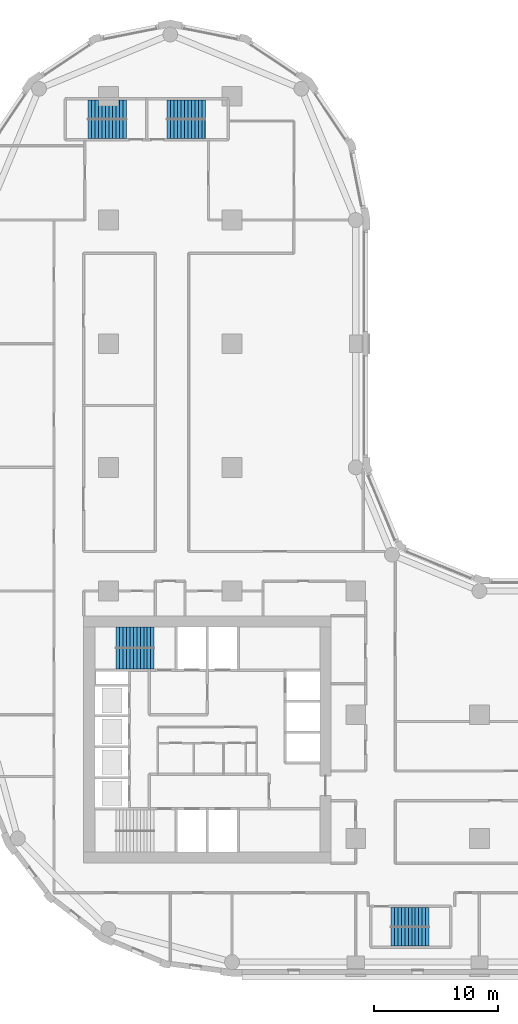
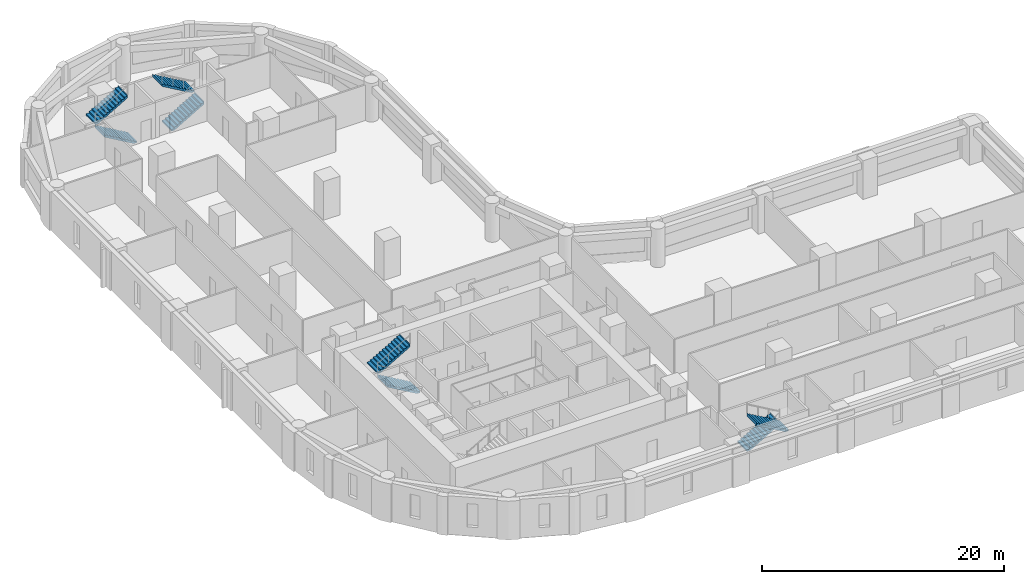
# One storey, part 9 of 11: 8 stair flights, 4 elements without a shape of their own.
"""IFC4 building model written with IfcOpenShell, lengths in metres."""

from ifc_helpers import new_model, si_unit, direction, frame, origin, place, context, subcontext, project, spatial, polyline, outline, extrude, material, type_object, element, aggregate, save


model = new_model("IFC4")

# Units and contexts
model_context = context("Model", 3, precision=1e-05, world=origin(), true_north=direction((0.0, 1.0)))
body_context = subcontext(model_context, "Body", "Model", "MODEL_VIEW")
ifc_project = project(units=[si_unit("LENGTHUNIT", "METRE"), si_unit("AREAUNIT", "SQUARE_METRE"), si_unit("VOLUMEUNIT", "CUBIC_METRE"), si_unit("PLANEANGLEUNIT", "RADIAN"), si_unit("MASSUNIT", "GRAM", prefix="KILO")], contexts=[model_context])

# Site, building, storey
site_placement = place(None, origin())
site = spatial("IfcSite", under=ifc_project, at=site_placement, CompositionType="ELEMENT")
building_placement = place(site_placement, origin())
building = spatial("IfcBuilding", under=site, at=building_placement, Name="Qaws Garden Tower", CompositionType="ELEMENT")
storey_placement = place(building_placement, frame((0.0, 0.0, 27.60009765625)))
storey = spatial("IfcBuildingStorey", under=building, at=storey_placement, Name="L06", CompositionType="ELEMENT", Elevation=27.60009765625)

# Stair, stair flights
ifc_material_1 = material(Name="Concrete C40", Category="concrete")
stair_type_1 = type_object("IfcStairType", Name="Exit stair 1350", PredefinedType="HALF_TURN_STAIR", material=ifc_material_1)
placement = place(storey_placement, origin())
stair_1 = element("IfcStair", 1, at=placement, inside=storey, type_object=stair_type_1, Name="Stair 5", PredefinedType="HALF_TURN_STAIR")
ifc_material_2 = material(Name="Concrete C40", Category="concrete")
stair_flight_type_1 = type_object("IfcStairFlightType", Name="Stair flight 1350", PredefinedType="STRAIGHT", material=ifc_material_2)
stair_flight_1_placement = place(storey_placement, frame((32.85009765625, 3.625, 0.0), z_axis=(0.0, 0.0, 1.0), x_axis=(1.0, 0.0, 0.0)))
stair_flight_1 = element("IfcStairFlight", 2, at=stair_flight_1_placement, type_object=stair_flight_type_1, Name="ST5 flight 1", NumberOfRisers=12, NumberOfTreads=11, PredefinedType="STRAIGHT", RiserHeight=0.1625, TreadLength=0.28, context=body_context, shape_type="SweptSolid", body=[
    extrude(outline(polyline([(-0.0029296875, 0.0), (-0.0029296875, 0.16259765625), (0.0, 0.16259765625), (0.280029296875, 0.16259765625), (0.280029296875, 0.324951171875), (0.56005859375, 0.324951171875), (0.56005859375, 0.487548828125), (0.840087890625, 0.487548828125), (0.840087890625, 0.64990234375), (1.1201171875, 0.64990234375), (1.1201171875, 0.8125), (1.39990234375, 0.8125), (1.39990234375, 0.97509765625), (1.679931640625, 0.97509765625), (1.679931640625, 1.137451171875), (1.9599609375, 1.137451171875), (1.9599609375, 1.300048828125), (2.239990234375, 1.300048828125), (2.239990234375, 1.46240234375), (2.52001953125, 1.46240234375), (2.52001953125, 1.625), (2.800048828125, 1.625), (2.800048828125, 1.78759765625), (3.080078125, 1.78759765625), (3.080078125, 1.949951171875), (3.0830078125, 1.949951171875), (3.0830078125, 1.6142578125), (3.080078125, 1.6142578125), (0.298583984375, 0.0), (-0.0029296875, 0.0)])), frame((0.0, 0.77490234375, 0.0), z_axis=(0.0, -1.0, 0.0), x_axis=(1.0, 0.0, 0.0)), (0.0, 0.0, 1.0), 1.550048828125),
])
stair_flight_2_placement = place(storey_placement, frame((35.929931640625, 2.074951171875, 1.949951171875), z_axis=(0.0, 0.0, 1.0), x_axis=(-1.0, 0.0, 0.0)))
stair_flight_2 = element("IfcStairFlight", 3, at=stair_flight_2_placement, type_object=stair_flight_type_1, Name="ST5 flight 2", NumberOfRisers=12, NumberOfTreads=11, PredefinedType="STRAIGHT", RiserHeight=0.1625, TreadLength=0.28, context=body_context, shape_type="SweptSolid", body=[
    extrude(outline(polyline([(-0.0029296875, 0.0), (-0.0029296875, 0.16259765625), (0.0, 0.16259765625), (0.280029296875, 0.16259765625), (0.280029296875, 0.324951171875), (0.56005859375, 0.324951171875), (0.56005859375, 0.487548828125), (0.840087890625, 0.487548828125), (0.840087890625, 0.64990234375), (1.1201171875, 0.64990234375), (1.1201171875, 0.8125), (1.39990234375, 0.8125), (1.39990234375, 0.97509765625), (1.679931640625, 0.97509765625), (1.679931640625, 1.137451171875), (1.9599609375, 1.137451171875), (1.9599609375, 1.300048828125), (2.239990234375, 1.300048828125), (2.239990234375, 1.46240234375), (2.52001953125, 1.46240234375), (2.52001953125, 1.625), (2.800048828125, 1.625), (2.800048828125, 1.78759765625), (3.080078125, 1.78759765625), (3.080078125, 1.949951171875), (3.0830078125, 1.949951171875), (3.0830078125, 1.6142578125), (3.080078125, 1.6142578125), (0.298583984375, 0.0), (-0.0029296875, 0.0)])), frame((0.0, 0.77490234375, 0.0), z_axis=(0.0, -1.0, 0.0), x_axis=(1.0, 0.0, 0.0)), (0.0, 0.0, 1.0), 1.550048828125),
])
aggregate(stair_1, [stair_flight_1, stair_flight_2])

stair_2 = element("IfcStair", 4, at=placement, inside=storey, type_object=stair_type_1, Name="Stair 6", PredefinedType="HALF_TURN_STAIR")
stair_flight_3_placement = place(storey_placement, frame((11.449951171875, 67.375, 0.0), z_axis=(0.0, 0.0, 1.0), x_axis=(-1.0, 0.0, 0.0)))
stair_flight_3 = element("IfcStairFlight", 5, at=stair_flight_3_placement, type_object=stair_flight_type_1, Name="ST6 flight 1", NumberOfRisers=12, NumberOfTreads=11, PredefinedType="STRAIGHT", RiserHeight=0.1625, TreadLength=0.28, context=body_context, shape_type="SweptSolid", body=[
    extrude(outline(polyline([(-0.0029296875, 0.0), (-0.0029296875, 0.16259765625), (0.0, 0.16259765625), (0.280029296875, 0.16259765625), (0.280029296875, 0.324951171875), (0.56005859375, 0.324951171875), (0.56005859375, 0.487548828125), (0.840087890625, 0.487548828125), (0.840087890625, 0.64990234375), (1.1201171875, 0.64990234375), (1.1201171875, 0.8125), (1.39990234375, 0.8125), (1.39990234375, 0.97509765625), (1.679931640625, 0.97509765625), (1.679931640625, 1.137451171875), (1.9599609375, 1.137451171875), (1.9599609375, 1.300048828125), (2.239990234375, 1.300048828125), (2.239990234375, 1.46240234375), (2.52001953125, 1.46240234375), (2.52001953125, 1.625), (2.800048828125, 1.625), (2.800048828125, 1.78759765625), (3.080078125, 1.78759765625), (3.080078125, 1.949951171875), (3.0830078125, 1.949951171875), (3.0830078125, 1.6142578125), (3.080078125, 1.6142578125), (0.298583984375, 0.0), (-0.0029296875, 0.0)])), frame((0.0, 0.77490234375, 0.0), z_axis=(0.0, -1.0, 0.0), x_axis=(1.0, 0.0, 0.0)), (0.0, 0.0, 1.0), 1.550048828125),
])
stair_flight_4_placement = place(storey_placement, frame((8.3701171875, 68.925048828125, 1.949951171875), z_axis=(0.0, 0.0, 1.0), x_axis=(1.0, 0.0, 0.0)))
stair_flight_4 = element("IfcStairFlight", 6, at=stair_flight_4_placement, type_object=stair_flight_type_1, Name="ST6 flight 2", NumberOfRisers=12, NumberOfTreads=11, PredefinedType="STRAIGHT", RiserHeight=0.1625, TreadLength=0.28, context=body_context, shape_type="SweptSolid", body=[
    extrude(outline(polyline([(-0.0029296875, 0.0), (-0.0029296875, 0.16259765625), (0.0, 0.16259765625), (0.280029296875, 0.16259765625), (0.280029296875, 0.324951171875), (0.56005859375, 0.324951171875), (0.56005859375, 0.487548828125), (0.840087890625, 0.487548828125), (0.840087890625, 0.64990234375), (1.1201171875, 0.64990234375), (1.1201171875, 0.8125), (1.39990234375, 0.8125), (1.39990234375, 0.97509765625), (1.679931640625, 0.97509765625), (1.679931640625, 1.137451171875), (1.9599609375, 1.137451171875), (1.9599609375, 1.300048828125), (2.239990234375, 1.300048828125), (2.239990234375, 1.46240234375), (2.52001953125, 1.46240234375), (2.52001953125, 1.625), (2.800048828125, 1.625), (2.800048828125, 1.78759765625), (3.080078125, 1.78759765625), (3.080078125, 1.949951171875), (3.0830078125, 1.949951171875), (3.0830078125, 1.6142578125), (3.080078125, 1.6142578125), (0.298583984375, 0.0), (-0.0029296875, 0.0)])), frame((0.0, 0.77490234375, 0.0), z_axis=(0.0, -1.0, 0.0), x_axis=(1.0, 0.0, 0.0)), (0.0, 0.0, 1.0), 1.550048828125),
])
aggregate(stair_2, [stair_flight_3, stair_flight_4])

stair_3 = element("IfcStair", 7, at=placement, inside=storey, type_object=stair_type_1, Name="Stair 7", PredefinedType="HALF_TURN_STAIR")
stair_flight_5_placement = place(storey_placement, frame((14.75, 67.375, 0.0), z_axis=(0.0, 0.0, 1.0), x_axis=(1.0, 0.0, 0.0)))
stair_flight_5 = element("IfcStairFlight", 8, at=stair_flight_5_placement, type_object=stair_flight_type_1, Name="ST7 flight 1", NumberOfRisers=12, NumberOfTreads=11, PredefinedType="STRAIGHT", RiserHeight=0.1625, TreadLength=0.28, context=body_context, shape_type="SweptSolid", body=[
    extrude(outline(polyline([(-0.0029296875, 0.0), (-0.0029296875, 0.16259765625), (0.0, 0.16259765625), (0.280029296875, 0.16259765625), (0.280029296875, 0.324951171875), (0.56005859375, 0.324951171875), (0.56005859375, 0.487548828125), (0.840087890625, 0.487548828125), (0.840087890625, 0.64990234375), (1.1201171875, 0.64990234375), (1.1201171875, 0.8125), (1.39990234375, 0.8125), (1.39990234375, 0.97509765625), (1.679931640625, 0.97509765625), (1.679931640625, 1.137451171875), (1.9599609375, 1.137451171875), (1.9599609375, 1.300048828125), (2.239990234375, 1.300048828125), (2.239990234375, 1.46240234375), (2.52001953125, 1.46240234375), (2.52001953125, 1.625), (2.800048828125, 1.625), (2.800048828125, 1.78759765625), (3.080078125, 1.78759765625), (3.080078125, 1.949951171875), (3.0830078125, 1.949951171875), (3.0830078125, 1.6142578125), (3.080078125, 1.6142578125), (0.298583984375, 0.0), (-0.0029296875, 0.0)])), frame((0.0, 0.77490234375, 0.0), z_axis=(0.0, -1.0, 0.0), x_axis=(1.0, 0.0, 0.0)), (0.0, 0.0, 1.0), 1.550048828125),
])
stair_flight_6_placement = place(storey_placement, frame((17.830078125, 68.925048828125, 1.949951171875), z_axis=(0.0, 0.0, 1.0), x_axis=(-1.0, 0.0, 0.0)))
stair_flight_6 = element("IfcStairFlight", 9, at=stair_flight_6_placement, type_object=stair_flight_type_1, Name="ST7 flight 2", NumberOfRisers=12, NumberOfTreads=11, PredefinedType="STRAIGHT", RiserHeight=0.1625, TreadLength=0.28, context=body_context, shape_type="SweptSolid", body=[
    extrude(outline(polyline([(-0.0029296875, 0.0), (-0.0029296875, 0.16259765625), (0.0, 0.16259765625), (0.280029296875, 0.16259765625), (0.280029296875, 0.324951171875), (0.56005859375, 0.324951171875), (0.56005859375, 0.487548828125), (0.840087890625, 0.487548828125), (0.840087890625, 0.64990234375), (1.1201171875, 0.64990234375), (1.1201171875, 0.8125), (1.39990234375, 0.8125), (1.39990234375, 0.97509765625), (1.679931640625, 0.97509765625), (1.679931640625, 1.137451171875), (1.9599609375, 1.137451171875), (1.9599609375, 1.300048828125), (2.239990234375, 1.300048828125), (2.239990234375, 1.46240234375), (2.52001953125, 1.46240234375), (2.52001953125, 1.625), (2.800048828125, 1.625), (2.800048828125, 1.78759765625), (3.080078125, 1.78759765625), (3.080078125, 1.949951171875), (3.0830078125, 1.949951171875), (3.0830078125, 1.6142578125), (3.080078125, 1.6142578125), (0.298583984375, 0.0), (-0.0029296875, 0.0)])), frame((0.0, 0.77490234375, 0.0), z_axis=(0.0, -1.0, 0.0), x_axis=(1.0, 0.0, 0.0)), (0.0, 0.0, 1.0), 1.550048828125),
])
aggregate(stair_3, [stair_flight_5, stair_flight_6])

ifc_material_3 = material(Name="Concrete C40", Category="concrete")
stair_type_2 = type_object("IfcStairType", Name="Exit stair 1500", PredefinedType="HALF_TURN_STAIR", material=ifc_material_3)
stair_4 = element("IfcStair", 10, at=placement, inside=storey, type_object=stair_type_2, Name="Stair 4", PredefinedType="HALF_TURN_STAIR")
ifc_material_4 = material(Name="Concrete C40", Category="concrete")
stair_flight_type_2 = type_object("IfcStairFlightType", Name="Stair flight 1500", PredefinedType="STRAIGHT", material=ifc_material_4)
stair_flight_7_placement = place(storey_placement, frame((13.699951171875, 24.550048828125, 0.0), z_axis=(0.0, 0.0, 1.0), x_axis=(-1.0, 0.0, 0.0)))
stair_flight_7 = element("IfcStairFlight", 11, at=stair_flight_7_placement, type_object=stair_flight_type_2, Name="ST4 flight 1", NumberOfRisers=12, NumberOfTreads=11, PredefinedType="STRAIGHT", RiserHeight=0.1625, TreadLength=0.28, context=body_context, shape_type="SweptSolid", body=[
    extrude(outline(polyline([(-0.0029296875, 0.0), (-0.0029296875, 0.16259765625), (0.0, 0.16259765625), (0.280029296875, 0.16259765625), (0.280029296875, 0.324951171875), (0.56005859375, 0.324951171875), (0.56005859375, 0.487548828125), (0.840087890625, 0.487548828125), (0.840087890625, 0.64990234375), (1.1201171875, 0.64990234375), (1.1201171875, 0.8125), (1.39990234375, 0.8125), (1.39990234375, 0.97509765625), (1.679931640625, 0.97509765625), (1.679931640625, 1.137451171875), (1.9599609375, 1.137451171875), (1.9599609375, 1.300048828125), (2.239990234375, 1.300048828125), (2.239990234375, 1.46240234375), (2.52001953125, 1.46240234375), (2.52001953125, 1.625), (2.800048828125, 1.625), (2.800048828125, 1.78759765625), (3.080078125, 1.78759765625), (3.080078125, 1.949951171875), (3.0830078125, 1.949951171875), (3.0830078125, 1.6142578125), (3.080078125, 1.6142578125), (0.298583984375, 0.0), (-0.0029296875, 0.0)])), frame((0.0, 0.844970703125, 0.0), z_axis=(0.0, -1.0, 0.0), x_axis=(1.0, 0.0, 0.0)), (0.0, 0.0, 1.0), 1.68994140625),
])
stair_flight_8_placement = place(storey_placement, frame((10.6201171875, 26.25, 1.949951171875), z_axis=(0.0, 0.0, 1.0), x_axis=(1.0, 0.0, 0.0)))
stair_flight_8 = element("IfcStairFlight", 12, at=stair_flight_8_placement, type_object=stair_flight_type_2, Name="ST4 flight 2", NumberOfRisers=12, NumberOfTreads=11, PredefinedType="STRAIGHT", RiserHeight=0.1625, TreadLength=0.28, context=body_context, shape_type="SweptSolid", body=[
    extrude(outline(polyline([(-0.0029296875, 0.0), (-0.0029296875, 0.16259765625), (0.0, 0.16259765625), (0.280029296875, 0.16259765625), (0.280029296875, 0.324951171875), (0.56005859375, 0.324951171875), (0.56005859375, 0.487548828125), (0.840087890625, 0.487548828125), (0.840087890625, 0.64990234375), (1.1201171875, 0.64990234375), (1.1201171875, 0.8125), (1.39990234375, 0.8125), (1.39990234375, 0.97509765625), (1.679931640625, 0.97509765625), (1.679931640625, 1.137451171875), (1.9599609375, 1.137451171875), (1.9599609375, 1.300048828125), (2.239990234375, 1.300048828125), (2.239990234375, 1.46240234375), (2.52001953125, 1.46240234375), (2.52001953125, 1.625), (2.800048828125, 1.625), (2.800048828125, 1.78759765625), (3.080078125, 1.78759765625), (3.080078125, 1.949951171875), (3.0830078125, 1.949951171875), (3.0830078125, 1.6142578125), (3.080078125, 1.6142578125), (0.298583984375, 0.0), (-0.0029296875, 0.0)])), frame((0.0, 0.844970703125, 0.0), z_axis=(0.0, -1.0, 0.0), x_axis=(1.0, 0.0, 0.0)), (0.0, 0.0, 1.0), 1.68994140625),
])
aggregate(stair_4, [stair_flight_7, stair_flight_8])

save(model, "model.ifc")
